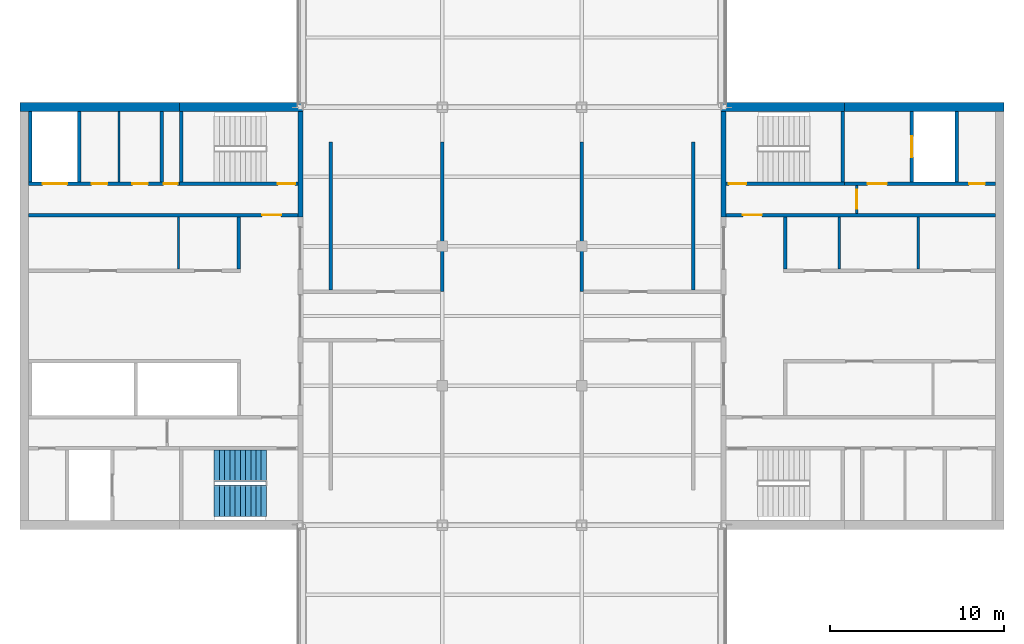
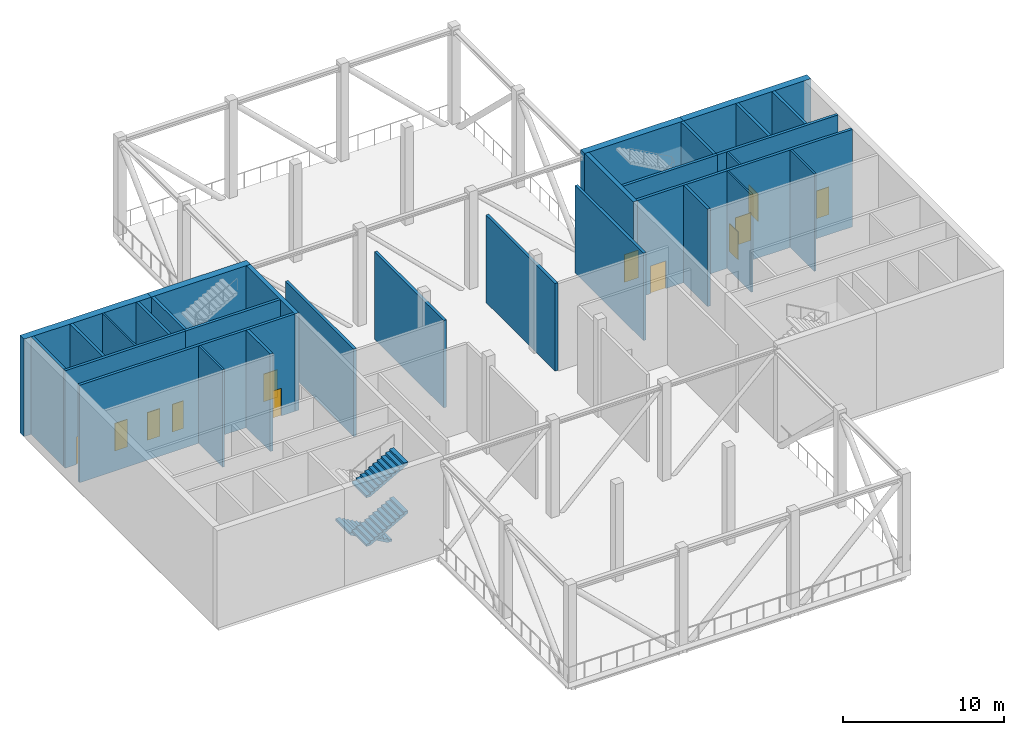
# One storey, part 4 of 9: 30 walls, 12 doors, 3 stair flights, 12 openings, 1 element without a shape of its own.
"""IFC4 building model written with IfcOpenShell, lengths in metres."""

from ifc_helpers import new_model, si_unit, direction, frame, frame_2d, origin, place, context, subcontext, project, spatial, polyline, rectangle, outline, extrude, material, layer, layer_set, constituent, constituent_set, type_object, element, fill, aggregate, save


model = new_model("IFC4")

# Units and contexts
model_context = context("Model", 3, precision=1e-05, world=origin(), true_north=direction((0.0, 1.0)))
body_context = subcontext(model_context, "Body", "Model", "MODEL_VIEW")
ifc_project = project(units=[si_unit("LENGTHUNIT", "METRE"), si_unit("AREAUNIT", "SQUARE_METRE"), si_unit("VOLUMEUNIT", "CUBIC_METRE"), si_unit("PLANEANGLEUNIT", "RADIAN"), si_unit("MASSUNIT", "GRAM", prefix="KILO")], contexts=[model_context])

# Site, building, storey
site_placement = place(None, origin())
site = spatial("IfcSite", under=ifc_project, at=site_placement, CompositionType="ELEMENT")
building_placement = place(site_placement, origin())
building = spatial("IfcBuilding", under=site, at=building_placement, Name="Crosswind Convention Tower", CompositionType="ELEMENT")
storey_placement = place(building_placement, frame((0.0, 0.0, 303.89990234375)))
storey = spatial("IfcBuildingStorey", under=building, at=storey_placement, Name="L66", CompositionType="ELEMENT", Elevation=303.89990234375)

# Walls
ifc_material_1 = material(Name="Concrete blockwork", Category="masonry")
ifc_layer_1 = layer(ifc_material_1, 0.199951171875)
ifc_layer_set_1 = layer_set([ifc_layer_1], Name="Blockwork partition wall 200")
wall_type_1 = type_object("IfcWallType", Name="Blockwork partition wall 200", PredefinedType="PARTITIONING", material=ifc_layer_set_1)
wall_1_placement = place(storey_placement, frame((104.89990234375, 111.75, 0.0), z_axis=(0.0, 0.0, 1.0), x_axis=(0.0, -1.0, 0.0)))
element("IfcWall", 1, at=wall_1_placement, inside=storey, type_object=wall_type_1, Name="Wall MRSE W L66", PredefinedType="PARTITIONING", context=body_context, shape_type="SweptSolid", body=[
    extrude(rectangle(XDim=4.050048828125, YDim=0.199951171875, at=frame_2d((2.02490234375, 0.0))), origin(), (0.0, 0.0, 1.0), 7.400146484375),
])
ifc_layer_2 = layer(ifc_material_1, 0.199951171875)
ifc_layer_set_2 = layer_set([ifc_layer_2], Name="COMPARTMENT WALL 200 BLOCKWORK")
wall_type_2 = type_object("IfcWallType", Name="COMPARTMENT WALL 200 BLOCKWORK", PredefinedType="SOLIDWALL", material=ifc_layer_set_2)
wall_2_placement = place(storey_placement, frame((114.60009765625, 101.5, 0.0), z_axis=(0.0, 0.0, 1.0), x_axis=(0.0, 1.0, 0.0)))
element("IfcWall", 2, at=wall_2_placement, inside=storey, type_object=wall_type_2, Name="Compartment wall WT42", PredefinedType="SOLIDWALL", context=body_context, shape_type="SweptSolid", body=[
    extrude(rectangle(XDim=8.5, YDim=0.199951171875, at=frame_2d((4.25, 0.0))), origin(), (0.0, 0.0, 1.0), 6.642822265625),
])
for number, where, z_axis, x_axis, name in (
    (3, (121.0, 101.39990234375, 0.0), (0.0, 0.0, 1.0), (0.0, 1.0, 0.0), "Compartment wall WT42"),
    (4, (129.0, 101.39990234375, 0.0), (0.0, 0.0, 1.0), (0.0, 1.0, 0.0), "Compartment wall WT42"),
):
    element("IfcWall", number, at=place(storey_placement, frame(where, z_axis=z_axis, x_axis=x_axis)), inside=storey, type_object=wall_type_2, Name=name, PredefinedType="SOLIDWALL", context=body_context, shape_type="SweptSolid", body=[
        extrude(rectangle(XDim=8.60009765625, YDim=0.199951171875, at=frame_2d((4.300048828125, 0.0))), origin(), (0.0, 0.0, 1.0), 6.642822265625),
    ])
wall_3_placement = place(storey_placement, frame((135.39990234375, 101.5, 0.0), z_axis=(0.0, 0.0, 1.0), x_axis=(0.0, 1.0, 0.0)))
element("IfcWall", 5, at=wall_3_placement, inside=storey, type_object=wall_type_2, Name="Compartment wall WT42", PredefinedType="SOLIDWALL", context=body_context, shape_type="SweptSolid", body=[
    extrude(rectangle(XDim=8.5, YDim=0.199951171875, at=frame_2d((4.25, 0.0))), origin(), (0.0, 0.0, 1.0), 6.642822265625),
])
ifc_material_2 = material(Name="Concrete C50/60", Category="concrete")
ifc_layer_3 = layer(ifc_material_2, 0.300048828125)
ifc_layer_set_3 = layer_set([ifc_layer_3], Name="Concrete C50/60")
wall_type_3 = type_object("IfcWallType", Name="Concrete inner core wall 300", PredefinedType="SHEAR", material=ifc_layer_set_3)
for number, where, z_axis, x_axis, name in (
    (6, (137.14990234375, 105.699951171875, 0.0), (0.0, 0.0, 1.0), (0.0, 1.0, 0.0), "Wall EP E L66"),
    (7, (112.85009765625, 111.75, 0.0), (0.0, 0.0, 1.0), (0.0, -1.0, 0.0), "Wall EM W L66"),
):
    element("IfcWall", number, at=place(storey_placement, frame(where, z_axis=z_axis, x_axis=x_axis)), inside=storey, type_object=wall_type_3, Name=name, PredefinedType="SHEAR", context=body_context, shape_type="SweptSolid", body=[
        extrude(rectangle(XDim=6.050048828125, YDim=0.300048828125, at=frame_2d((3.02490234375, 0.0))), origin(), (0.0, 0.0, 1.0), 7.400146484375),
    ])
ifc_layer_4 = layer(ifc_material_2, 0.199951171875)
ifc_layer_set_4 = layer_set([ifc_layer_4], Name="Concrete C50/60")
wall_type_4 = type_object("IfcWallType", Name="Concrete shaft and stair wall 200", PredefinedType="SHEAR", material=ifc_layer_set_4)
wall_4_placement = place(storey_placement, frame((140.699951171875, 102.699951171875, 0.0), z_axis=(0.0, 0.0, 1.0), x_axis=(0.0, 1.0, 0.0)))
element("IfcWall", 8, at=wall_4_placement, inside=storey, type_object=wall_type_4, Name="Wall RPEND E L66", PredefinedType="SHEAR", context=body_context, shape_type="SweptSolid", body=[
    extrude(rectangle(XDim=3.0, YDim=0.199951171875, at=frame_2d((1.5, 0.0))), origin(), (0.0, 0.0, 1.0), 7.400146484375),
])

# Wall, opening, door
wall_5_placement = place(storey_placement, frame((137.300048828125, 105.800048828125, 0.0), z_axis=(0.0, 0.0, 1.0), x_axis=(1.0, 0.0, 0.0)))
wall_5 = element("IfcWall", 9, at=wall_5_placement, inside=storey, type_object=wall_type_4, Name="Wall HP E L66", PredefinedType="SHEAR", context=body_context, shape_type="SweptSolid", body=[
    extrude(rectangle(XDim=15.449951171875, YDim=0.199951171875, at=frame_2d((7.72509765625, 0.0))), origin(), (0.0, 0.0, 1.0), 7.400146484375),
])
opening_1_placement = place(wall_5_placement, frame((0.949951171875, 0.0, 0.0)))
opening_1 = element("IfcOpeningElement", 10, at=opening_1_placement, cuts=wall_5, Name="Opening D104", PredefinedType="OPENING", context=body_context, shape_type="SweptSolid", body=[
    extrude(rectangle(XDim=1.10009765625, YDim=2.10009765625, at=frame_2d((0.550048828125, 1.050048828125))), frame((0.0, 0.10986328125, 0.0), z_axis=(0.0, -1.0, 0.0), x_axis=(1.0, 0.0, 0.0)), (0.0, 0.0, 1.0), 0.219970703125),
])
ifc_material_3 = material(Name="Steel fire door", Category="steel")
door_type_1 = type_object("IfcDoorType", Name="Fire-rated single door 1100x2100", OperationType="NOTDEFINED", PredefinedType="DOOR", material=ifc_material_3)
door_1_placement = place(opening_1_placement, origin())
door_1 = element("IfcDoor", 11, at=door_1_placement, inside=storey, type_object=door_type_1, Name="Corridor door L66", ObjectType="D104", OperationType="SINGLE_SWING_LEFT", OverallHeight=2.10009765625, OverallWidth=1.10009765625, PredefinedType="DOOR", context=body_context, shape_type="SweptSolid", body=[
    extrude(rectangle(XDim=1.10009765625, YDim=2.10009765625, at=frame_2d((0.550048828125, 1.050048828125))), frame((0.0, 0.02490234375, 0.0), z_axis=(0.0, -1.0, 0.0), x_axis=(1.0, 0.0, 0.0)), (0.0, 0.0, 1.0), 0.050048828125),
])
fill(opening_1, door_1)

# Wall
wall_6_placement = place(storey_placement, frame((144.0, 107.699951171875, 0.0), z_axis=(0.0, 0.0, 1.0), x_axis=(0.0, 1.0, 0.0)))
element("IfcWall", 12, at=wall_6_placement, inside=storey, type_object=wall_type_4, Name="Wall PSE E L66", PredefinedType="SHEAR", context=body_context, shape_type="SweptSolid", body=[
    extrude(rectangle(XDim=4.050048828125, YDim=0.199951171875, at=frame_2d((2.02490234375, 0.0))), origin(), (0.0, 0.0, 1.0), 7.400146484375),
])

# Wall, opening, door
wall_7_placement = place(storey_placement, frame((147.949951171875, 107.699951171875, 0.0), z_axis=(0.0, 0.0, 1.0), x_axis=(0.0, 1.0, 0.0)))
wall_7 = element("IfcWall", 13, at=wall_7_placement, inside=storey, type_object=wall_type_4, Name="Wall PFLW E L66", PredefinedType="SHEAR", context=body_context, shape_type="SweptSolid", body=[
    extrude(rectangle(XDim=4.050048828125, YDim=0.199951171875, at=frame_2d((2.02490234375, 0.0))), origin(), (0.0, 0.0, 1.0), 7.400146484375),
])
opening_2_placement = place(wall_7_placement, frame((1.425048828125, 0.0, 0.0)))
opening_2 = element("IfcOpeningElement", 14, at=opening_2_placement, cuts=wall_7, Name="Opening LD1", PredefinedType="OPENING", context=body_context, shape_type="SweptSolid", body=[
    extrude(rectangle(XDim=1.199951171875, YDim=2.10009765625, at=frame_2d((0.60009765625, 1.050048828125))), frame((0.0, 0.10986328125, 0.0), z_axis=(0.0, -1.0, 0.0), x_axis=(1.0, 0.0, 0.0)), (0.0, 0.0, 1.0), 0.219970703125),
])
ifc_material_4 = material(Name="Stainless steel", Category="steel")
door_type_2 = type_object("IfcDoorType", Name="Lift landing door 1200x2100", OperationType="DOUBLE_DOOR_SLIDING", PredefinedType="DOOR", material=ifc_material_4)
door_2_placement = place(opening_2_placement, origin())
door_2 = element("IfcDoor", 15, at=door_2_placement, inside=storey, type_object=door_type_2, Name="Landing door FF1 L66", ObjectType="LD1", OperationType="DOUBLE_DOOR_SLIDING", OverallHeight=2.10009765625, OverallWidth=1.199951171875, PredefinedType="DOOR", context=body_context, shape_type="SweptSolid", body=[
    extrude(rectangle(XDim=1.199951171875, YDim=2.10009765625, at=frame_2d((0.60009765625, 1.050048828125))), frame((0.0, 0.02490234375, 0.0), z_axis=(0.0, -1.0, 0.0), x_axis=(1.0, 0.0, 0.0)), (0.0, 0.0, 1.0), 0.050048828125),
])
fill(opening_2, door_2)

# Wall
wall_8_placement = place(storey_placement, frame((150.550048828125, 107.699951171875, 0.0), z_axis=(0.0, 0.0, 1.0), x_axis=(0.0, 1.0, 0.0)))
element("IfcWall", 16, at=wall_8_placement, inside=storey, type_object=wall_type_4, Name="Wall PFSE E L66", PredefinedType="SHEAR", context=body_context, shape_type="SweptSolid", body=[
    extrude(rectangle(XDim=4.050048828125, YDim=0.199951171875, at=frame_2d((2.02490234375, 0.0))), origin(), (0.0, 0.0, 1.0), 7.400146484375),
])

# Wall, opening, door
wall_9_placement = place(storey_placement, frame((137.300048828125, 107.60009765625, 0.0), z_axis=(0.0, 0.0, 1.0), x_axis=(1.0, 0.0, 0.0)))
wall_9 = element("IfcWall", 17, at=wall_9_placement, inside=storey, type_object=wall_type_4, Name="Wall PCW E L66", PredefinedType="SHEAR", context=body_context, shape_type="SweptSolid", body=[
    extrude(rectangle(XDim=6.800048828125, YDim=0.199951171875, at=frame_2d((3.39990234375, 0.0))), origin(), (0.0, 0.0, 1.0), 7.400146484375),
])
opening_3_placement = place(wall_9_placement, frame((0.14990234375, 0.0, 0.0)))
opening_3 = element("IfcOpeningElement", 18, at=opening_3_placement, cuts=wall_9, Name="Opening D103", PredefinedType="OPENING", context=body_context, shape_type="SweptSolid", body=[
    extrude(rectangle(XDim=1.0, YDim=2.10009765625, at=frame_2d((0.5, 1.050048828125))), frame((0.0, 0.10986328125, 0.0), z_axis=(0.0, -1.0, 0.0), x_axis=(1.0, 0.0, 0.0)), (0.0, 0.0, 1.0), 0.219970703125),
])
door_type_3 = type_object("IfcDoorType", Name="Fire-rated single door 1000x2100", OperationType="NOTDEFINED", PredefinedType="DOOR", material=ifc_material_3)
door_3_placement = place(opening_3_placement, origin())
door_3 = element("IfcDoor", 19, at=door_3_placement, inside=storey, type_object=door_type_3, Name="Stair ST1 door L66", ObjectType="D103", OperationType="SINGLE_SWING_LEFT", OverallHeight=2.10009765625, OverallWidth=1.0, PredefinedType="DOOR", context=body_context, shape_type="SweptSolid", body=[
    extrude(rectangle(XDim=1.0, YDim=2.10009765625, at=frame_2d((0.5, 1.050048828125))), frame((0.0, 0.02490234375, 0.0), z_axis=(0.0, -1.0, 0.0), x_axis=(1.0, 0.0, 0.0)), (0.0, 0.0, 1.0), 0.050048828125),
])
fill(opening_3, door_3)

# Wall, openings, doors
wall_10_placement = place(storey_placement, frame((144.10009765625, 107.60009765625, 0.0), z_axis=(0.0, 0.0, 1.0), x_axis=(1.0, 0.0, 0.0)))
wall_10 = element("IfcWall", 20, at=wall_10_placement, inside=storey, type_object=wall_type_4, Name="Wall PCX E L66", PredefinedType="SHEAR", context=body_context, shape_type="SweptSolid", body=[
    extrude(rectangle(XDim=8.64990234375, YDim=0.199951171875, at=frame_2d((4.324951171875, 0.0))), origin(), (0.0, 0.0, 1.0), 7.400146484375),
])
opening_4_placement = place(wall_10_placement, frame((1.324951171875, 0.0, 0.0)))
opening_4 = element("IfcOpeningElement", 21, at=opening_4_placement, cuts=wall_10, Name="Opening D104", PredefinedType="OPENING", context=body_context, shape_type="SweptSolid", body=[
    extrude(rectangle(XDim=1.10009765625, YDim=2.10009765625, at=frame_2d((0.550048828125, 1.050048828125))), frame((0.0, 0.10986328125, 0.0), z_axis=(0.0, -1.0, 0.0), x_axis=(1.0, 0.0, 0.0)), (0.0, 0.0, 1.0), 0.219970703125),
])
opening_5_placement = place(wall_10_placement, frame((7.14990234375, 0.0, 0.0)))
opening_5 = element("IfcOpeningElement", 22, at=opening_5_placement, cuts=wall_10, Name="Opening D106", PredefinedType="OPENING", context=body_context, shape_type="SweptSolid", body=[
    extrude(rectangle(XDim=0.89990234375, YDim=2.10009765625, at=frame_2d((0.449951171875, 1.050048828125))), frame((0.0, 0.10986328125, 0.0), z_axis=(0.0, -1.0, 0.0), x_axis=(1.0, 0.0, 0.0)), (0.0, 0.0, 1.0), 0.219970703125),
])
door_4_placement = place(opening_4_placement, origin())
door_4 = element("IfcDoor", 23, at=door_4_placement, inside=storey, type_object=door_type_1, Name="Fire-fighting lobby FF1 door L66", ObjectType="D104", OperationType="SINGLE_SWING_RIGHT", OverallHeight=2.10009765625, OverallWidth=1.10009765625, PredefinedType="DOOR", context=body_context, shape_type="SweptSolid", body=[
    extrude(rectangle(XDim=1.10009765625, YDim=2.10009765625, at=frame_2d((0.550048828125, 1.050048828125))), frame((0.0, 0.02490234375, 0.0), z_axis=(0.0, -1.0, 0.0), x_axis=(1.0, 0.0, 0.0)), (0.0, 0.0, 1.0), 0.050048828125),
])
fill(opening_4, door_4)
ifc_material_5 = material(Name="Timber door", Category="wood")
door_type_4 = type_object("IfcDoorType", Name="Single leaf door 900x2100", OperationType="NOTDEFINED", PredefinedType="DOOR", material=ifc_material_5)
door_5_placement = place(opening_5_placement, origin())
door_5 = element("IfcDoor", 24, at=door_5_placement, inside=storey, type_object=door_type_4, Name="Door to electrical plant room L66", ObjectType="D106", OperationType="SINGLE_SWING_RIGHT", OverallHeight=2.10009765625, OverallWidth=0.89990234375, PredefinedType="DOOR", context=body_context, shape_type="SweptSolid", body=[
    extrude(rectangle(XDim=0.89990234375, YDim=2.10009765625, at=frame_2d((0.449951171875, 1.050048828125))), frame((0.0, 0.02490234375, 0.0), z_axis=(0.0, -1.0, 0.0), x_axis=(1.0, 0.0, 0.0)), (0.0, 0.0, 1.0), 0.050048828125),
])
fill(opening_5, door_5)

# Wall
wall_11_placement = place(storey_placement, frame((109.300048828125, 105.699951171875, 0.0), z_axis=(0.0, 0.0, 1.0), x_axis=(0.0, -1.0, 0.0)))
element("IfcWall", 25, at=wall_11_placement, inside=storey, type_object=wall_type_4, Name="Wall RMEND W L66", PredefinedType="SHEAR", context=body_context, shape_type="SweptSolid", body=[
    extrude(rectangle(XDim=3.0, YDim=0.199951171875, at=frame_2d((1.5, 0.0))), origin(), (0.0, 0.0, 1.0), 7.400146484375),
])

# Wall, opening, door
wall_12_placement = place(storey_placement, frame((112.699951171875, 105.800048828125, 0.0), z_axis=(0.0, 0.0, 1.0), x_axis=(-1.0, 0.0, 0.0)))
wall_12 = element("IfcWall", 26, at=wall_12_placement, inside=storey, type_object=wall_type_4, Name="Wall HM W L66", PredefinedType="SHEAR", context=body_context, shape_type="SweptSolid", body=[
    extrude(rectangle(XDim=15.449951171875, YDim=0.199951171875, at=frame_2d((7.72509765625, 0.0))), origin(), (0.0, 0.0, 1.0), 7.400146484375),
])
opening_6_placement = place(wall_12_placement, frame((0.949951171875, 0.0, 0.0)))
opening_6 = element("IfcOpeningElement", 27, at=opening_6_placement, cuts=wall_12, Name="Opening D104", PredefinedType="OPENING", context=body_context, shape_type="SweptSolid", body=[
    extrude(rectangle(XDim=1.10009765625, YDim=2.10009765625, at=frame_2d((0.550048828125, 1.050048828125))), frame((0.0, 0.10986328125, 0.0), z_axis=(0.0, -1.0, 0.0), x_axis=(1.0, 0.0, 0.0)), (0.0, 0.0, 1.0), 0.219970703125),
])
door_6_placement = place(opening_6_placement, origin())
door_6 = element("IfcDoor", 28, at=door_6_placement, inside=storey, type_object=door_type_1, Name="Corridor door L66", ObjectType="D104", OperationType="SINGLE_SWING_LEFT", OverallHeight=2.10009765625, OverallWidth=1.10009765625, PredefinedType="DOOR", context=body_context, shape_type="SweptSolid", body=[
    extrude(rectangle(XDim=1.10009765625, YDim=2.10009765625, at=frame_2d((0.550048828125, 1.050048828125))), frame((0.0, 0.02490234375, 0.0), z_axis=(0.0, -1.0, 0.0), x_axis=(1.0, 0.0, 0.0)), (0.0, 0.0, 1.0), 0.050048828125),
])
fill(opening_6, door_6)

# Walls
for number, where, z_axis, x_axis, name in (
    (29, (106.0, 111.75, 0.0), (0.0, 0.0, 1.0), (0.0, -1.0, 0.0), "Wall MSE W L66"),
    (30, (100.14990234375, 111.75, 0.0), (0.0, 0.0, 1.0), (0.0, -1.0, 0.0), "Wall MFSW W L66"),
    (31, (97.35009765625, 111.75, 0.0), (0.0, 0.0, 1.0), (0.0, -1.0, 0.0), "Wall MFSE W L66"),
):
    element("IfcWall", number, at=place(storey_placement, frame(where, z_axis=z_axis, x_axis=x_axis)), inside=storey, type_object=wall_type_4, Name=name, PredefinedType="SHEAR", context=body_context, shape_type="SweptSolid", body=[
        extrude(rectangle(XDim=4.050048828125, YDim=0.199951171875, at=frame_2d((2.02490234375, 0.0))), origin(), (0.0, 0.0, 1.0), 7.400146484375),
    ])

# Wall, opening, door
wall_13_placement = place(storey_placement, frame((112.699951171875, 107.60009765625, 0.0), z_axis=(0.0, 0.0, 1.0), x_axis=(-1.0, 0.0, 0.0)))
wall_13 = element("IfcWall", 32, at=wall_13_placement, inside=storey, type_object=wall_type_4, Name="Wall MCW W L66", PredefinedType="SHEAR", context=body_context, shape_type="SweptSolid", body=[
    extrude(rectangle(XDim=6.800048828125, YDim=0.199951171875, at=frame_2d((3.39990234375, 0.0))), origin(), (0.0, 0.0, 1.0), 7.400146484375),
])
opening_7_placement = place(wall_13_placement, frame((0.14990234375, 0.0, 0.0)))
opening_7 = element("IfcOpeningElement", 33, at=opening_7_placement, cuts=wall_13, Name="Opening D103", PredefinedType="OPENING", context=body_context, shape_type="SweptSolid", body=[
    extrude(rectangle(XDim=1.0, YDim=2.10009765625, at=frame_2d((0.5, 1.050048828125))), frame((0.0, 0.10986328125, 0.0), z_axis=(0.0, -1.0, 0.0), x_axis=(1.0, 0.0, 0.0)), (0.0, 0.0, 1.0), 0.219970703125),
])
door_7_placement = place(opening_7_placement, frame((1.0, 0.0, 0.0), z_axis=(0.0, 0.0, 1.0), x_axis=(-1.0, 0.0, 0.0)))
door_7 = element("IfcDoor", 34, at=door_7_placement, inside=storey, type_object=door_type_3, Name="Stair ST4 door L66", ObjectType="D103", OperationType="SINGLE_SWING_RIGHT", OverallHeight=2.10009765625, OverallWidth=1.0, PredefinedType="DOOR", context=body_context, shape_type="SweptSolid", body=[
    extrude(rectangle(XDim=1.0, YDim=2.10009765625, at=frame_2d((0.5, 1.050048828125))), frame((0.0, 0.02490234375, 0.0), z_axis=(0.0, -1.0, 0.0), x_axis=(1.0, 0.0, 0.0)), (0.0, 0.0, 1.0), 0.050048828125),
])
fill(opening_7, door_7)

# Wall, openings, doors
wall_14_placement = place(storey_placement, frame((105.89990234375, 107.60009765625, 0.0), z_axis=(0.0, 0.0, 1.0), x_axis=(-1.0, 0.0, 0.0)))
wall_14 = element("IfcWall", 35, at=wall_14_placement, inside=storey, type_object=wall_type_4, Name="Wall MCX W L66", PredefinedType="SHEAR", context=body_context, shape_type="SweptSolid", body=[
    extrude(rectangle(XDim=8.64990234375, YDim=0.199951171875, at=frame_2d((4.324951171875, 0.0))), origin(), (0.0, 0.0, 1.0), 7.400146484375),
])
opening_8_placement = place(wall_14_placement, frame((0.10009765625, 0.0, 0.0)))
opening_8 = element("IfcOpeningElement", 36, at=opening_8_placement, cuts=wall_14, Name="Opening D105", PredefinedType="OPENING", context=body_context, shape_type="SweptSolid", body=[
    extrude(rectangle(XDim=0.800048828125, YDim=2.10009765625, at=frame_2d((0.39990234375, 1.050048828125))), frame((0.0, 0.10986328125, 0.0), z_axis=(0.0, -1.0, 0.0), x_axis=(1.0, 0.0, 0.0)), (0.0, 0.0, 1.0), 0.219970703125),
])
opening_9_placement = place(wall_14_placement, frame((1.8017578125, 0.0, 0.0)))
opening_9 = element("IfcOpeningElement", 37, at=opening_9_placement, cuts=wall_14, Name="Opening D106", PredefinedType="OPENING", context=body_context, shape_type="SweptSolid", body=[
    extrude(rectangle(XDim=0.89990234375, YDim=2.10009765625, at=frame_2d((0.449951171875, 1.050048828125))), frame((0.0, 0.10986328125, 0.0), z_axis=(0.0, -1.0, 0.0), x_axis=(1.0, 0.0, 0.0)), (0.0, 0.0, 1.0), 0.219970703125),
])
opening_10_placement = place(wall_14_placement, frame((4.13916015625, 0.0, 0.0)))
opening_10 = element("IfcOpeningElement", 38, at=opening_10_placement, cuts=wall_14, Name="Opening D106", PredefinedType="OPENING", context=body_context, shape_type="SweptSolid", body=[
    extrude(rectangle(XDim=0.89990234375, YDim=2.10009765625, at=frame_2d((0.449951171875, 1.050048828125))), frame((0.0, 0.10986328125, 0.0), z_axis=(0.0, -1.0, 0.0), x_axis=(1.0, 0.0, 0.0)), (0.0, 0.0, 1.0), 0.219970703125),
])
opening_11_placement = place(wall_14_placement, frame((6.449951171875, 0.0, 0.0)))
opening_11 = element("IfcOpeningElement", 39, at=opening_11_placement, cuts=wall_14, Name="Opening LD2", PredefinedType="OPENING", context=body_context, shape_type="SweptSolid", body=[
    extrude(rectangle(XDim=1.39990234375, YDim=2.10009765625, at=frame_2d((0.699951171875, 1.050048828125))), frame((0.0, 0.10986328125, 0.0), z_axis=(0.0, -1.0, 0.0), x_axis=(1.0, 0.0, 0.0)), (0.0, 0.0, 1.0), 0.219970703125),
])
door_type_5 = type_object("IfcDoorType", Name="Lift landing door 1400x2100", OperationType="DOUBLE_DOOR_SLIDING", PredefinedType="DOOR", material=ifc_material_4)
door_8_placement = place(opening_11_placement, origin())
door_8 = element("IfcDoor", 40, at=door_8_placement, inside=storey, type_object=door_type_5, Name="Landing door SV2 L66", ObjectType="LD2", OperationType="DOUBLE_DOOR_SLIDING", OverallHeight=2.10009765625, OverallWidth=1.39990234375, PredefinedType="DOOR", context=body_context, shape_type="SweptSolid", body=[
    extrude(rectangle(XDim=1.39990234375, YDim=2.10009765625, at=frame_2d((0.699951171875, 1.050048828125))), frame((0.0, 0.02490234375, 0.0), z_axis=(0.0, -1.0, 0.0), x_axis=(1.0, 0.0, 0.0)), (0.0, 0.0, 1.0), 0.050048828125),
])
fill(opening_11, door_8)
door_type_6 = type_object("IfcDoorType", Name="Riser access door 800x2100", OperationType="NOTDEFINED", PredefinedType="DOOR", material=ifc_material_3)
door_9_placement = place(opening_8_placement, frame((0.800048828125, 0.0, 0.0), z_axis=(0.0, 0.0, 1.0), x_axis=(-1.0, 0.0, 0.0)))
door_9 = element("IfcDoor", 41, at=door_9_placement, inside=storey, type_object=door_type_6, Name="Riser door L66", ObjectType="D105", OperationType="SINGLE_SWING_LEFT", OverallHeight=2.10009765625, OverallWidth=0.800048828125, PredefinedType="DOOR", context=body_context, shape_type="SweptSolid", body=[
    extrude(rectangle(XDim=0.800048828125, YDim=2.10009765625, at=frame_2d((0.39990234375, 1.050048828125))), frame((0.0, 0.02490234375, 0.0), z_axis=(0.0, -1.0, 0.0), x_axis=(1.0, 0.0, 0.0)), (0.0, 0.0, 1.0), 0.050048828125),
])
fill(opening_8, door_9)
door_10_placement = place(opening_9_placement, frame((0.89990234375, 0.0, 0.0), z_axis=(0.0, 0.0, 1.0), x_axis=(-1.0, 0.0, 0.0)))
door_10 = element("IfcDoor", 42, at=door_10_placement, inside=storey, type_object=door_type_4, Name="Door to mechanical plant room L66", ObjectType="D106", OperationType="SINGLE_SWING_LEFT", OverallHeight=2.10009765625, OverallWidth=0.89990234375, PredefinedType="DOOR", context=body_context, shape_type="SweptSolid", body=[
    extrude(rectangle(XDim=0.89990234375, YDim=2.10009765625, at=frame_2d((0.449951171875, 1.050048828125))), frame((0.0, 0.02490234375, 0.0), z_axis=(0.0, -1.0, 0.0), x_axis=(1.0, 0.0, 0.0)), (0.0, 0.0, 1.0), 0.050048828125),
])
fill(opening_9, door_10)
door_11_placement = place(opening_10_placement, frame((0.89990234375, 0.0, 0.0), z_axis=(0.0, 0.0, 1.0), x_axis=(-1.0, 0.0, 0.0)))
door_11 = element("IfcDoor", 43, at=door_11_placement, inside=storey, type_object=door_type_4, Name="Door to pump room L66", ObjectType="D106", OperationType="SINGLE_SWING_LEFT", OverallHeight=2.10009765625, OverallWidth=0.89990234375, PredefinedType="DOOR", context=body_context, shape_type="SweptSolid", body=[
    extrude(rectangle(XDim=0.89990234375, YDim=2.10009765625, at=frame_2d((0.449951171875, 1.050048828125))), frame((0.0, 0.02490234375, 0.0), z_axis=(0.0, -1.0, 0.0), x_axis=(1.0, 0.0, 0.0)), (0.0, 0.0, 1.0), 0.050048828125),
])
fill(opening_10, door_11)

# Walls
ifc_material_6 = material(Name="Gypsum plasterboard partition", Category="gypsum")
ifc_layer_5 = layer(ifc_material_6, 0.125)
ifc_layer_set_5 = layer_set([ifc_layer_5], Name="Drywall partition wall 125")
wall_type_5 = type_object("IfcWallType", Name="Drywall partition wall 125", PredefinedType="PARTITIONING", material=ifc_layer_set_5)
for number, where, z_axis, x_axis, name in (
    (44, (143.78759765625, 102.699951171875, 0.0), (0.0, 0.0, 1.0), (0.0, 1.0, 0.0), "Wall RPP1 E L66"),
    (45, (148.32861328125, 102.699951171875, 0.0), (0.0, 0.0, 1.0), (0.0, 1.0, 0.0), "Wall RPP2 E L66"),
):
    element("IfcWall", number, at=place(storey_placement, frame(where, z_axis=z_axis, x_axis=x_axis)), inside=storey, type_object=wall_type_5, Name=name, PredefinedType="PARTITIONING", context=body_context, shape_type="SweptSolid", body=[
        extrude(rectangle(XDim=3.0, YDim=0.125, at=frame_2d((1.5, 0.0))), origin(), (0.0, 0.0, 1.0), 7.400146484375),
    ])

# Wall, opening, door
wall_15_placement = place(storey_placement, frame((144.800048828125, 105.89990234375, 0.0), z_axis=(0.0, 0.0, 1.0), x_axis=(0.0, 1.0, 0.0)))
wall_15 = element("IfcWall", 46, at=wall_15_placement, inside=storey, type_object=wall_type_5, Name="Wall PXC1 E L66", PredefinedType="PARTITIONING", context=body_context, shape_type="SweptSolid", body=[
    extrude(rectangle(XDim=1.60009765625, YDim=0.125, at=frame_2d((0.800048828125, 0.0))), origin(), (0.0, 0.0, 1.0), 7.400146484375),
])
opening_12_placement = place(wall_15_placement, frame((0.25, 0.0, 0.0)))
opening_12 = element("IfcOpeningElement", 47, at=opening_12_placement, cuts=wall_15, Name="Opening D104", PredefinedType="OPENING", context=body_context, shape_type="SweptSolid", body=[
    extrude(rectangle(XDim=1.10009765625, YDim=2.10009765625, at=frame_2d((0.550048828125, 1.050048828125))), frame((0.0, 0.072509765625, 0.0), z_axis=(0.0, -1.0, 0.0), x_axis=(1.0, 0.0, 0.0)), (0.0, 0.0, 1.0), 0.14501953125),
])
door_12_placement = place(opening_12_placement, origin())
door_12 = element("IfcDoor", 48, at=door_12_placement, inside=storey, type_object=door_type_1, Name="Corridor smoke door L66", ObjectType="D104", OperationType="SINGLE_SWING_RIGHT", OverallHeight=2.10009765625, OverallWidth=1.10009765625, PredefinedType="DOOR", context=body_context, shape_type="SweptSolid", body=[
    extrude(rectangle(XDim=1.10009765625, YDim=2.10009765625, at=frame_2d((0.550048828125, 1.050048828125))), frame((0.0, 0.02490234375, 0.0), z_axis=(0.0, -1.0, 0.0), x_axis=(1.0, 0.0, 0.0)), (0.0, 0.0, 1.0), 0.050048828125),
])
fill(opening_12, door_12)

# Walls
wall_16_placement = place(storey_placement, frame((105.85400390625, 105.699951171875, 0.0), z_axis=(0.0, 0.0, 1.0), x_axis=(0.0, -1.0, 0.0)))
element("IfcWall", 49, at=wall_16_placement, inside=storey, type_object=wall_type_5, Name="Wall RMP1 W L66", PredefinedType="PARTITIONING", context=body_context, shape_type="SweptSolid", body=[
    extrude(rectangle(XDim=3.0, YDim=0.125, at=frame_2d((1.5, 0.0))), origin(), (0.0, 0.0, 1.0), 7.400146484375),
])
wall_17_placement = place(storey_placement, frame((102.43408203125, 111.75, 0.0), z_axis=(0.0, 0.0, 1.0), x_axis=(0.0, -1.0, 0.0)))
element("IfcWall", 50, at=wall_17_placement, inside=storey, type_object=wall_type_5, Name="Wall MWP1 W L66", PredefinedType="PARTITIONING", context=body_context, shape_type="SweptSolid", body=[
    extrude(rectangle(XDim=4.050048828125, YDim=0.125, at=frame_2d((2.02490234375, 0.0))), origin(), (0.0, 0.0, 1.0), 7.400146484375),
])
ifc_material_7 = material(Name="Concrete C60/75", Category="concrete")
ifc_constituent_1 = constituent(ifc_material_7, Name="Structure")
ifc_material_8 = material(Name="Terracotta rainscreen", Category="ceramic")
ifc_constituent_2 = constituent(ifc_material_8, Name="Facing")
ifc_constituent_set = constituent_set(constituents=[ifc_constituent_1, ifc_constituent_2], Name="Concrete C60/75, Terracotta rainscreen")
wall_type_6 = type_object("IfcWallType", Name="Terracotta rainscreen on concrete core wall 500", PredefinedType="SHEAR", material=ifc_constituent_set)
wall_18_placement = place(storey_placement, frame((137.0, 112.0, 0.0), z_axis=(0.0, 0.0, 1.0), x_axis=(1.0, 0.0, 0.0)))
element("IfcWall", 51, at=wall_18_placement, inside=storey, type_object=wall_type_6, Name="Wall N1 E L66", PredefinedType="SHEAR", context=body_context, shape_type="SweptSolid", body=[
    extrude(rectangle(XDim=7.10009765625, YDim=0.5, at=frame_2d((3.550048828125, 0.0))), origin(), (0.0, 0.0, 1.0), 7.400146484375),
])
wall_19_placement = place(storey_placement, frame((144.10009765625, 112.0, 0.0), z_axis=(0.0, 0.0, 1.0), x_axis=(1.0, 0.0, 0.0)))
element("IfcWall", 52, at=wall_19_placement, inside=storey, type_object=wall_type_6, Name="Wall N2 E L66", PredefinedType="SHEAR", context=body_context, shape_type="SweptSolid", body=[
    extrude(rectangle(XDim=9.14990234375, YDim=0.5, at=frame_2d((4.574951171875, 0.0))), origin(), (0.0, 0.0, 1.0), 7.400146484375),
])
wall_20_placement = place(storey_placement, frame((113.0, 112.0, 0.0), z_axis=(0.0, 0.0, 1.0), x_axis=(-1.0, 0.0, 0.0)))
element("IfcWall", 53, at=wall_20_placement, inside=storey, type_object=wall_type_6, Name="Wall S1 W L66", PredefinedType="SHEAR", context=body_context, shape_type="SweptSolid", body=[
    extrude(rectangle(XDim=7.10009765625, YDim=0.5, at=frame_2d((3.550048828125, 0.0))), origin(), (0.0, 0.0, 1.0), 7.400146484375),
])
wall_21_placement = place(storey_placement, frame((105.89990234375, 112.0, 0.0), z_axis=(0.0, 0.0, 1.0), x_axis=(-1.0, 0.0, 0.0)))
element("IfcWall", 54, at=wall_21_placement, inside=storey, type_object=wall_type_6, Name="Wall S2 W L66", PredefinedType="SHEAR", context=body_context, shape_type="SweptSolid", body=[
    extrude(rectangle(XDim=9.14990234375, YDim=0.5, at=frame_2d((4.574951171875, 0.0))), origin(), (0.0, 0.0, 1.0), 7.400146484375),
])

# Stair, stair flights
ifc_material_9 = material(Name="Concrete C40/50", Category="concrete")
stair_type = type_object("IfcStairType", Name="Exit stair 1800 wide, 4 flights of 11 risers", PredefinedType="HALF_TURN_STAIR", material=ifc_material_9)
stair_placement = place(storey_placement, origin())
stair = element("IfcStair", 55, at=stair_placement, inside=storey, type_object=stair_type, Name="Exit stair ST3 L66", ObjectType="ST6", PredefinedType="HALF_TURN_STAIR")
stair_flight_type = type_object("IfcStairFlightType", Name="Stair flight 1800 wide, 11 risers (SF3)", PredefinedType="STRAIGHT", material=ifc_material_9)
stair_flight_1_placement = place(storey_placement, frame((110.89990234375, 91.39990234375, 0.0), z_axis=(0.0, 0.0, 1.0), x_axis=(-1.0, 0.0, 0.0)))
stair_flight_1 = element("IfcStairFlight", 56, at=stair_flight_1_placement, type_object=stair_flight_type, Name="ST3 flight 1", NumberOfRisers=11, NumberOfTreads=10, PredefinedType="STRAIGHT", RiserHeight=0.168181818, TreadLength=0.3, context=body_context, shape_type="SweptSolid", body=[
    extrude(outline(polyline([(0.0, 0.0), (0.0, 0.168212890625), (0.300048828125, 0.168212890625), (0.300048828125, 0.33642578125), (0.60009765625, 0.33642578125), (0.60009765625, 0.504638671875), (0.89990234375, 0.504638671875), (0.89990234375, 0.672607421875), (1.199951171875, 0.672607421875), (1.199951171875, 0.8408203125), (1.5, 0.8408203125), (1.5, 1.009033203125), (1.800048828125, 1.009033203125), (1.800048828125, 1.17724609375), (2.10009765625, 1.17724609375), (2.10009765625, 1.345458984375), (2.39990234375, 1.345458984375), (2.39990234375, 1.513671875), (2.699951171875, 1.513671875), (2.699951171875, 1.681884765625), (3.0, 1.681884765625), (3.0, 1.85009765625), (3.0, 1.510009765625), (0.306640625, 0.0), (0.0, 0.0)])), frame((0.0, 0.89990234375, 0.0), z_axis=(0.0, -1.0, 0.0), x_axis=(1.0, 0.0, 0.0)), (0.0, 0.0, 1.0), 1.800048828125),
])
stair_flight_2_placement = place(storey_placement, frame((107.89990234375, 89.39990234375, 1.85009765625), z_axis=(0.0, 0.0, 1.0), x_axis=(1.0, 0.0, 0.0)))
stair_flight_2 = element("IfcStairFlight", 57, at=stair_flight_2_placement, type_object=stair_flight_type, Name="ST3 flight 2", NumberOfRisers=11, NumberOfTreads=10, PredefinedType="STRAIGHT", RiserHeight=0.168181818, TreadLength=0.3, context=body_context, shape_type="SweptSolid", body=[
    extrude(outline(polyline([(0.0, 0.0), (0.0, 0.168212890625), (0.300048828125, 0.168212890625), (0.300048828125, 0.33642578125), (0.60009765625, 0.33642578125), (0.60009765625, 0.504638671875), (0.89990234375, 0.504638671875), (0.89990234375, 0.672607421875), (1.199951171875, 0.672607421875), (1.199951171875, 0.8408203125), (1.5, 0.8408203125), (1.5, 1.009033203125), (1.800048828125, 1.009033203125), (1.800048828125, 1.17724609375), (2.10009765625, 1.17724609375), (2.10009765625, 1.345458984375), (2.39990234375, 1.345458984375), (2.39990234375, 1.513671875), (2.699951171875, 1.513671875), (2.699951171875, 1.681884765625), (3.0, 1.681884765625), (3.0, 1.85009765625), (3.0, 1.510009765625), (0.306640625, 0.0), (0.0, 0.0)])), frame((0.0, 0.89990234375, 0.0), z_axis=(0.0, -1.0, 0.0), x_axis=(1.0, 0.0, 0.0)), (0.0, 0.0, 1.0), 1.800048828125),
])
stair_flight_3_placement = place(storey_placement, frame((107.89990234375, 89.39990234375, 5.550048828125), z_axis=(0.0, 0.0, 1.0), x_axis=(1.0, 0.0, 0.0)))
stair_flight_3 = element("IfcStairFlight", 58, at=stair_flight_3_placement, type_object=stair_flight_type, Name="ST3 flight 4", NumberOfRisers=11, NumberOfTreads=10, PredefinedType="STRAIGHT", RiserHeight=0.168181818, TreadLength=0.3, context=body_context, shape_type="SweptSolid", body=[
    extrude(outline(polyline([(0.0, 0.0), (0.0, 0.168212890625), (0.300048828125, 0.168212890625), (0.300048828125, 0.33642578125), (0.60009765625, 0.33642578125), (0.60009765625, 0.504638671875), (0.89990234375, 0.504638671875), (0.89990234375, 0.672607421875), (1.199951171875, 0.672607421875), (1.199951171875, 0.8408203125), (1.5, 0.8408203125), (1.5, 1.009033203125), (1.800048828125, 1.009033203125), (1.800048828125, 1.17724609375), (2.10009765625, 1.17724609375), (2.10009765625, 1.345458984375), (2.39990234375, 1.345458984375), (2.39990234375, 1.513671875), (2.699951171875, 1.513671875), (2.699951171875, 1.681884765625), (3.0, 1.681884765625), (3.0, 1.85009765625), (3.0, 1.510009765625), (0.306640625, 0.0), (0.0, 0.0)])), frame((0.0, 0.89990234375, 0.0), z_axis=(0.0, -1.0, 0.0), x_axis=(1.0, 0.0, 0.0)), (0.0, 0.0, 1.0), 1.800048828125),
])
aggregate(stair, [stair_flight_1, stair_flight_2, stair_flight_3])

save(model, "model.ifc")
